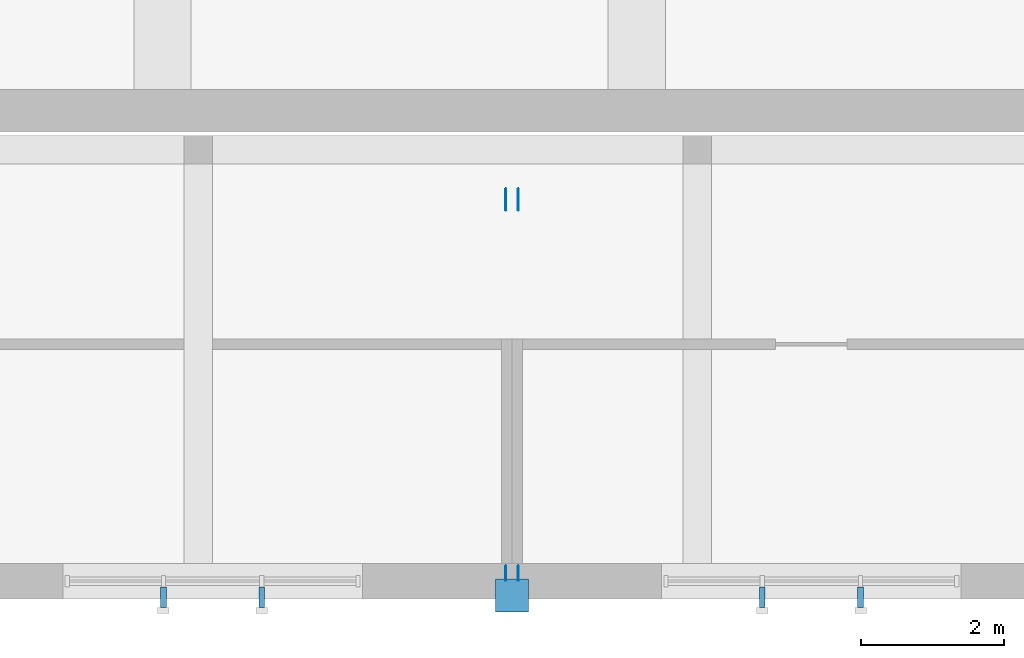
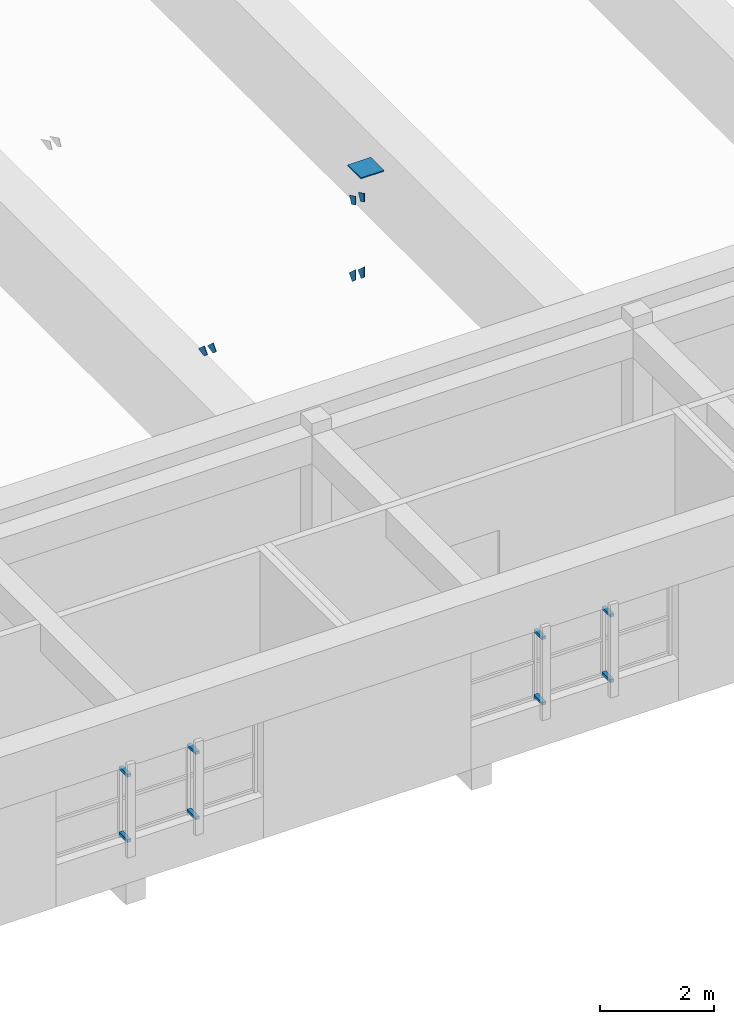
# One storey, part 15 of 28: 15 discrete accessories.
"""IFC4 building model written with IfcOpenShell, lengths in metres."""

import ifcopenshell
import ifcopenshell.guid

model = None  # the IFC model being written
_history = None  # IfcOwnerHistory: only IFC2X3 demands one
_inside = {}  # id of a spatial element -> (the spatial element, [elements in it])
_under = {}  # id of a project, library or spatial element -> (it, [spatial elements below it])
_declared = {}  # id of a project -> (the project, [libraries it declares])
_typed = {}  # id of a type object -> (the type object, [elements of that type])
_made_of = {}  # id of a material, layer set ... -> (it, [elements and type objects made of it])


def new_model(schema):
    """Start an empty IFC model of exactly this schema.

    Asked for "IFC4X3", IfcOpenShell would pick the latest addendum, in which some entities
    have other attributes; the version numbers below select the first issue.
    IFC2X3 requires an IfcOwnerHistory on every rooted entity: one is made here for all.
    """
    global model, _history
    if schema == "IFC4X3":
        model = ifcopenshell.file(schema_version=(4, 3, 0, 0))
    else:
        model = ifcopenshell.file(schema=schema)
    _inside.clear()
    _under.clear()
    _declared.clear()
    _typed.clear()
    _made_of.clear()
    _history = None
    if model.schema == "IFC2X3":
        org = make("IfcOrganization", Name="unknown")
        user = make(
            "IfcPersonAndOrganization",
            ThePerson=make("IfcPerson", FamilyName="unknown"),
            TheOrganization=org,
        )
        app = make(
            "IfcApplication",
            ApplicationDeveloper=org,
            Version="unknown",
            ApplicationFullName="unknown",
            ApplicationIdentifier="unknown",
        )
        _history = make(
            "IfcOwnerHistory",
            OwningUser=user,
            OwningApplication=app,
            ChangeAction="ADDED",
            CreationDate=0,
        )
    return model


def make(cls, **values):
    """One entity of the class cls with the attributes given. An attribute that is None is left unset."""
    return model.create_entity(
        cls, **{name: value for name, value in values.items() if value is not None}
    )


def rooted(cls, **values):
    """An entity with a GlobalId (a new one), such as an element, a storey or a relation."""
    return make(cls, GlobalId=ifcopenshell.guid.new(), OwnerHistory=_history, **values)


def si_unit(unit_type, name, prefix=None):
    """IfcSIUnit, for example si_unit("LENGTHUNIT", "METRE", prefix="MILLI")."""
    return make("IfcSIUnit", UnitType=unit_type, Prefix=prefix, Name=name)


def assignment(units):
    """IfcUnitAssignment: the units of a project."""
    return None if units is None else make("IfcUnitAssignment", Units=units)


def point(xyz):
    """IfcCartesianPoint."""
    return None if xyz is None else make("IfcCartesianPoint", Coordinates=xyz)


def direction(xyz):
    """IfcDirection."""
    return None if xyz is None else make("IfcDirection", DirectionRatios=xyz)


def frame(location, z_axis=None, x_axis=None):
    """IfcAxis2Placement3D, a coordinate frame: its origin and axes. An axis left out is left unset."""
    return make(
        "IfcAxis2Placement3D",
        Location=point(location),
        Axis=direction(z_axis),
        RefDirection=direction(x_axis),
    )


def frame_2d(location, x_axis=None):
    """IfcAxis2Placement2D, a coordinate frame in the plane: its origin and x axis."""
    return make(
        "IfcAxis2Placement2D", Location=point(location), RefDirection=direction(x_axis)
    )


def origin():
    """The frame at (0, 0, 0) with its axes left unset."""
    return frame((0.0, 0.0, 0.0))


def origin_2d():
    """The frame at (0, 0) in the plane with its x axis left unset."""
    return frame_2d((0.0, 0.0))


def place(relative_to, where):
    """IfcLocalPlacement: puts the frame where relative to a parent placement (None: the world)."""
    return make(
        "IfcLocalPlacement", PlacementRelTo=relative_to, RelativePlacement=where
    )


def context(
    kind, dimensions, precision=None, world=None, true_north=None, identifier=None
):
    """IfcGeometricRepresentationContext, for example the 3D "Model" context."""
    return make(
        "IfcGeometricRepresentationContext",
        ContextIdentifier=identifier,
        ContextType=kind,
        CoordinateSpaceDimension=dimensions,
        Precision=precision,
        WorldCoordinateSystem=world,
        TrueNorth=true_north,
    )


def subcontext(parent, identifier, kind, view, scale=None):
    """IfcGeometricRepresentationSubContext, for example "Body" below "Model"."""
    return make(
        "IfcGeometricRepresentationSubContext",
        ContextIdentifier=identifier,
        ContextType=kind,
        ParentContext=parent,
        TargetScale=scale,
        TargetView=view,
    )


def project(units=None, contexts=None):
    """IfcProject with its units and contexts."""
    return rooted(
        "IfcProject",
        Name="project",
        RepresentationContexts=contexts,
        UnitsInContext=assignment(units),
    )


def spatial(cls, under=None, at=None, **own):
    """A site, building, storey or space (cls), placed at a placement, below another one or the project."""
    s = rooted(cls, ObjectPlacement=at, **own)
    if under is not None:
        _under.setdefault(under.id(), (under, []))[1].append(s)
    return s


def polyline(points):
    """IfcPolyline through the points."""
    return make("IfcPolyline", Points=[point(p) for p in points])


def profile(cls, at=None, kind="AREA", **sizes):
    """A parametric profile (cls). Its sizes go by their IFC names, for example OverallWidth=200.0."""
    return make(cls, ProfileType=kind, Position=at, **sizes)


def rectangle(**sizes):
    """IfcRectangleProfileDef."""
    return profile("IfcRectangleProfileDef", **sizes)


def outline(outer, holes=None, kind="AREA"):
    """IfcArbitraryClosedProfileDef: a profile drawn as a closed curve; with holes, ...WithVoids."""
    if holes is None:
        return make("IfcArbitraryClosedProfileDef", ProfileType=kind, OuterCurve=outer)
    return make(
        "IfcArbitraryProfileDefWithVoids",
        ProfileType=kind,
        OuterCurve=outer,
        InnerCurves=holes,
    )


def extrude(swept, where, along, depth):
    """IfcExtrudedAreaSolid: the profile swept, set in the frame where, extruded along a direction by depth."""
    return make(
        "IfcExtrudedAreaSolid",
        SweptArea=swept,
        Position=where,
        ExtrudedDirection=direction(along),
        Depth=depth,
    )


def shape(context_of_items, identifier, shape_type, items):
    """IfcShapeRepresentation: the items that make up one representation, for example the "Body"."""
    return make(
        "IfcShapeRepresentation",
        ContextOfItems=context_of_items,
        RepresentationIdentifier=identifier,
        RepresentationType=shape_type,
        Items=items,
    )


def material(Name=None, Category=None):
    """IfcMaterial."""
    return make("IfcMaterial", Name=Name, Category=Category)


def layer(
    of_material, thickness, ventilated=None, Name=None, Category=None, Priority=None
):
    """IfcMaterialLayer: one layer of a wall or slab, of a material (None: an air gap)."""
    return make(
        "IfcMaterialLayer",
        Material=of_material,
        LayerThickness=thickness,
        IsVentilated=ventilated,
        Name=Name,
        Category=Category,
        Priority=Priority,
    )


def layer_set(layers, Name=None):
    """IfcMaterialLayerSet."""
    return make("IfcMaterialLayerSet", MaterialLayers=layers, LayerSetName=Name)


def made_of(thing, what):
    """Note that an element or type object is made of a material, layer set ...; save() writes the relation."""
    if what is not None:
        _made_of.setdefault(what.id(), (what, []))[1].append(thing)
    return thing


def type_object(cls, material=None, **own):
    """A type object (cls), such as IfcWallType, which elements share."""
    return made_of(rooted(cls, **own), material)


def element(
    cls,
    number,
    at=None,
    inside=None,
    cuts=None,
    type_object=None,
    material=None,
    context=None,
    identifier="Body",
    shape_type=None,
    held_by="IfcProductDefinitionShape",
    body=None,
    shapes=None,
    **own,
):
    """One element of the class cls, such as IfcWall. Its Tag is "e" and its number.

    at: its placement. inside: the storey or other place that contains it. cuts: it is an
    opening in that element (IfcRelVoidsElement). A single representation is given by context,
    identifier, shape_type and body (its items); several are given by shapes. held_by: the class
    of the entity that holds the representations. save() writes the other relations.
    """
    e = rooted(cls, Tag="e%d" % number, ObjectPlacement=at, **own)
    if body is not None:
        shapes = [shape(context, identifier, shape_type, body)]
    if shapes is not None:
        e.Representation = make(held_by, Representations=shapes)
    if inside is not None:
        _inside.setdefault(inside.id(), (inside, []))[1].append(e)
    if cuts is not None:
        rooted(
            "IfcRelVoidsElement", RelatingBuildingElement=cuts, RelatedOpeningElement=e
        )
    if type_object is not None:
        _typed.setdefault(type_object.id(), (type_object, []))[1].append(e)
    return made_of(e, material)


def aggregate(whole, parts):
    """IfcRelAggregates: a whole, such as a stair, and the parts it consists of."""
    return rooted("IfcRelAggregates", RelatingObject=whole, RelatedObjects=parts)


def save(model, path):
    """Write the relations noted so far, then the file.

    IfcRelAggregates (storeys below a building ...), IfcRelContainedInSpatialStructure (elements
    in a storey), IfcRelDefinesByType, IfcRelAssociatesMaterial and IfcRelDeclares: one each for
    every whole, place, type object, material and project.
    """
    for whole, parts in _under.values():
        aggregate(whole, parts)
    for where, things in _inside.values():
        rooted(
            "IfcRelContainedInSpatialStructure",
            RelatedElements=things,
            RelatingStructure=where,
        )
    for kind, things in _typed.values():
        rooted("IfcRelDefinesByType", RelatedObjects=things, RelatingType=kind)
    for what, things in _made_of.values():
        rooted("IfcRelAssociatesMaterial", RelatedObjects=things, RelatingMaterial=what)
    for by, libraries in _declared.values():
        rooted("IfcRelDeclares", RelatingContext=by, RelatedDefinitions=libraries)
    model.write(path)


model = new_model("IFC4")

# Units and contexts
model_context = context("Model", 3, precision=1e-05, world=origin(), true_north=direction((0.0, 1.0)))
body_context = subcontext(model_context, "Body", "Model", "MODEL_VIEW")
ifc_project = project(units=[si_unit("LENGTHUNIT", "METRE"), si_unit("AREAUNIT", "SQUARE_METRE"), si_unit("VOLUMEUNIT", "CUBIC_METRE"), si_unit("PLANEANGLEUNIT", "RADIAN"), si_unit("MASSUNIT", "GRAM", prefix="KILO")], contexts=[model_context])

# Site, building, storey
site_placement = place(None, origin())
site = spatial("IfcSite", under=ifc_project, at=site_placement, CompositionType="ELEMENT")
building_placement = place(site_placement, origin())
building = spatial("IfcBuilding", under=site, at=building_placement, Name="Ljudholm Concert House", CompositionType="ELEMENT")
storey_placement = place(building_placement, frame((0.0, 0.0, 19.199951171875)))
storey = spatial("IfcBuildingStorey", under=building, at=storey_placement, Name="L04", CompositionType="ELEMENT", Elevation=19.199951171875)

# Discrete accessories
ifc_material_1 = material(Name="Stainless steel bracket", Category="steel")
discrete_accessory_type_1 = type_object("IfcDiscreteAccessoryType", Name="BRACKET 290", PredefinedType="BRACKET", material=ifc_material_1)
for number, where, z_axis, x_axis, name in (
    (1, (49.510009765625, 54.175048828125, 0.969970703125), (0.0, 0.0, 1.0), (0.0, -1.0, 0.0), "Fin bracket"),
    (2, (49.510009765625, 54.175048828125, 2.3701171875), (0.0, 0.0, 1.0), (0.0, -1.0, 0.0), "Fin bracket"),
    (3, (50.889892578125, 54.175048828125, 0.969970703125), (0.0, 0.0, 1.0), (0.0, -1.0, 0.0), "Fin bracket"),
    (4, (50.889892578125, 54.175048828125, 2.3701171875), (0.0, 0.0, 1.0), (0.0, -1.0, 0.0), "Fin bracket"),
    (5, (57.909912109375, 54.175048828125, 0.969970703125), (0.0, 0.0, 1.0), (0.0, -1.0, 0.0), "Fin bracket"),
    (6, (57.909912109375, 54.175048828125, 2.3701171875), (0.0, 0.0, 1.0), (0.0, -1.0, 0.0), "Fin bracket"),
    (7, (59.2900390625, 54.175048828125, 0.969970703125), (0.0, 0.0, 1.0), (0.0, -1.0, 0.0), "Fin bracket"),
    (8, (59.2900390625, 54.175048828125, 2.3701171875), (0.0, 0.0, 1.0), (0.0, -1.0, 0.0), "Fin bracket"),
):
    element("IfcDiscreteAccessory", number, at=place(storey_placement, frame(where, z_axis=z_axis, x_axis=x_axis)), inside=storey, type_object=discrete_accessory_type_1, Name=name, PredefinedType="BRACKET", context=body_context, shape_type="SweptSolid", body=[
        extrude(rectangle(XDim=0.2900390625, YDim=0.080078125, at=origin_2d()), origin(), (0.0, 0.0, 1.0), 0.06005859375),
    ])
ifc_material_2 = material(Name="Steel ASTM A36 plate", Category="steel")
ifc_layer_1 = layer(ifc_material_2, 0.011962890625)
ifc_layer_set_1 = layer_set([ifc_layer_1], Name="Steel ASTM A36 plate")
discrete_accessory_type_2 = type_object("IfcDiscreteAccessoryType", Name="GUSSET PLATE 12", PredefinedType="BRACKET", material=ifc_layer_set_1)
for number, where, z_axis, x_axis, name in (
    (9, (54.309814453125, 54.4599609375, -19.199951171875), (0.0, 0.0, 1.0), (0.0, 1.0, 0.0), "Gusset plate"),
    (10, (54.489990234375, 54.4599609375, -19.199951171875), (0.0, 0.0, 1.0), (0.0, 1.0, 0.0), "Gusset plate"),
):
    element("IfcDiscreteAccessory", number, at=place(storey_placement, frame(where, z_axis=z_axis, x_axis=x_axis)), inside=storey, type_object=discrete_accessory_type_2, Name=name, PredefinedType="BRACKET", context=body_context, shape_type="SweptSolid", body=[
        extrude(outline(polyline([(0.053955078125, 30.19921875), (-0.056884765625, 30.30029296875), (-0.056884765625, 30.5283203125), (0.16748046875, 30.323486328125), (0.053955078125, 30.19921875)])), frame((0.0, 0.005859375, 0.0), z_axis=(0.0, -1.0, 0.0), x_axis=(1.0, 0.0, 0.0)), (0.0, 0.0, 1.0), 0.011962890625),
    ])
for number, where, z_axis, x_axis, name in (
    (11, (54.309814453125, 54.4599609375, -19.199951171875), (0.0, 0.0, 1.0), (0.0, 1.0, 0.0), "Gusset plate"),
    (12, (54.489990234375, 54.4599609375, -19.199951171875), (0.0, 0.0, 1.0), (0.0, 1.0, 0.0), "Gusset plate"),
):
    element("IfcDiscreteAccessory", number, at=place(storey_placement, frame(where, z_axis=z_axis, x_axis=x_axis)), inside=storey, type_object=discrete_accessory_type_2, Name=name, PredefinedType="BRACKET", context=body_context, shape_type="SweptSolid", body=[
        extrude(outline(polyline([(5.250732421875, 25.67919921875), (5.451904296875, 25.495361328125), (5.247802734375, 25.453857421875), (5.13720703125, 25.554931640625), (5.250732421875, 25.67919921875)])), frame((0.0, 0.005859375, 0.0), z_axis=(0.0, -1.0, 0.0), x_axis=(1.0, 0.0, 0.0)), (0.0, 0.0, 1.0), 0.011962890625),
    ])
for number, where, z_axis, x_axis, name in (
    (13, (54.309814453125, 54.440673828125, -19.199951171875), (0.0, 0.0, 1.0), (0.0, 1.0, 0.0), "Gusset plate"),
    (14, (54.489990234375, 54.440673828125, -19.199951171875), (0.0, 0.0, 1.0), (0.0, 1.0, 0.0), "Gusset plate"),
):
    element("IfcDiscreteAccessory", number, at=place(storey_placement, frame(where, z_axis=z_axis, x_axis=x_axis)), inside=storey, type_object=discrete_accessory_type_2, Name=name, PredefinedType="BRACKET", context=body_context, shape_type="SweptSolid", body=[
        extrude(outline(polyline([(0.096923828125, 31.8388671875), (-0.037353515625, 31.905517578125), (-0.037353515625, 32.09326171875), (0.171875, 31.989501953125), (0.096923828125, 31.8388671875)])), frame((0.0, 0.005859375, 0.0), z_axis=(0.0, -1.0, 0.0), x_axis=(1.0, 0.0, 0.0)), (0.0, 0.0, 1.0), 0.011962890625),
    ])
ifc_material_3 = material(Name="Steel ASTM A36 plate", Category="steel")
ifc_layer_2 = layer(ifc_material_3, 0.02490234375)
ifc_layer_set_2 = layer_set([ifc_layer_2], Name="Steel ASTM A36 plate")
discrete_accessory_type_3 = type_object("IfcDiscreteAccessoryType", Name="MAST CAP PLATE 25", PredefinedType="BRACKET", material=ifc_layer_set_2)
discrete_accessory_placement = place(storey_placement, frame((54.39990234375, 54.199951171875, 13.5751953125), z_axis=(0.0, 0.0, 1.0), x_axis=(1.0, 0.0, 0.0)))
element("IfcDiscreteAccessory", 15, at=discrete_accessory_placement, inside=storey, type_object=discrete_accessory_type_3, Name="Mast cap plate", PredefinedType="BRACKET", context=body_context, shape_type="SweptSolid", body=[
    extrude(rectangle(XDim=0.46630859375, YDim=0.46630859375, at=origin_2d()), origin(), (0.0, 0.0, 1.0), 0.02490234375),
])

save(model, "model.ifc")
